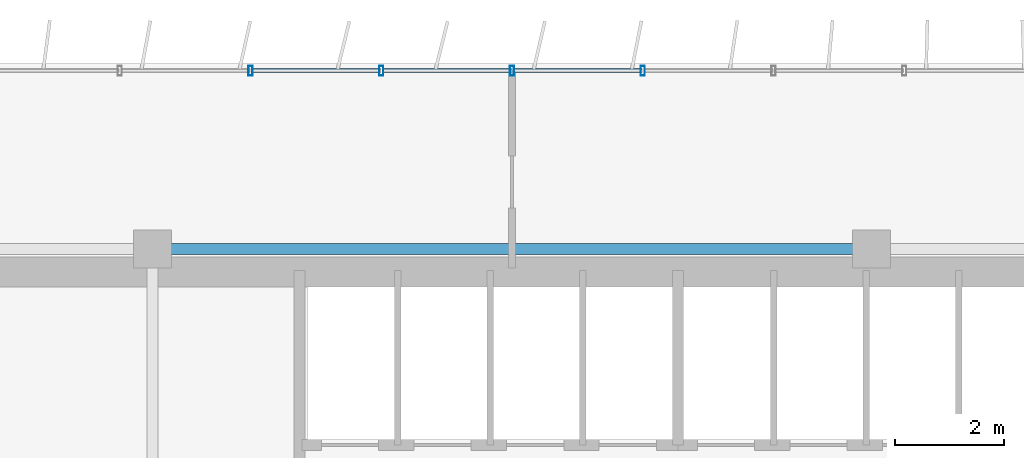
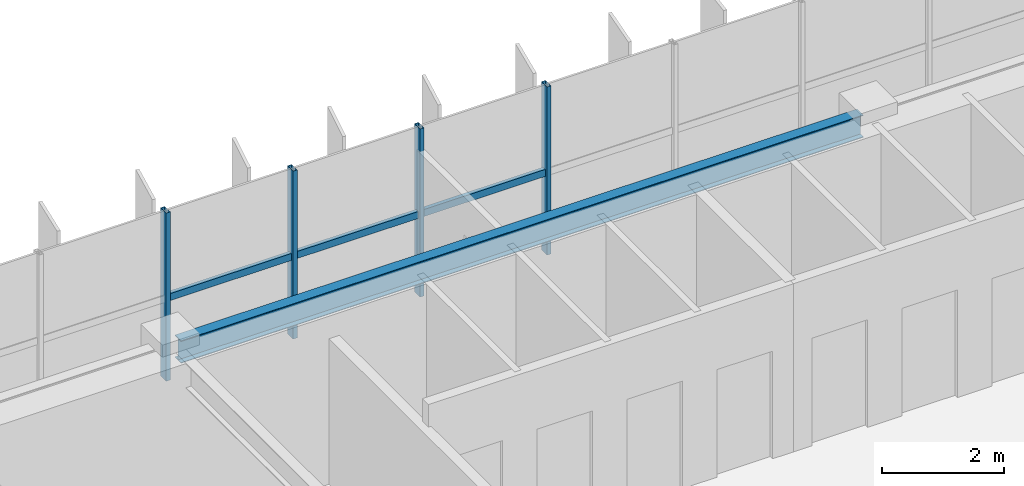
# One storey, part 8 of 19: 7 members, 1 beam, 1 element without a shape of its own.
"""IFC4 building model written with IfcOpenShell, lengths in metres."""

from ifc_helpers import new_model, si_unit, direction, frame, origin, origin_2d, place, context, subcontext, project, spatial, hollow_rectangle, i_section, extrude, source, transform, mapped, material, material_profile, profile_set, type_object, element, aggregate, save


model = new_model("IFC4")

# Units and contexts
model_context = context("Model", 3, precision=1e-05, world=origin(), true_north=direction((0.0, 1.0)))
body_context = subcontext(model_context, "Body", "Model", "MODEL_VIEW")
ifc_project = project(units=[si_unit("LENGTHUNIT", "METRE"), si_unit("AREAUNIT", "SQUARE_METRE"), si_unit("VOLUMEUNIT", "CUBIC_METRE"), si_unit("PLANEANGLEUNIT", "RADIAN"), si_unit("MASSUNIT", "GRAM", prefix="KILO")], contexts=[model_context])

# Site, building, storey
site_placement = place(None, origin())
site = spatial("IfcSite", under=ifc_project, at=site_placement, CompositionType="ELEMENT")
building_placement = place(site_placement, origin())
building = spatial("IfcBuilding", under=site, at=building_placement, Name="Trelvane Seafront Commons", CompositionType="ELEMENT")
storey_placement = place(building_placement, frame((0.0, 0.0, 215.699951171875)))
storey = spatial("IfcBuildingStorey", under=building, at=storey_placement, Name="L56", CompositionType="ELEMENT", Elevation=215.699951171875)

# Beam
ifc_material_1 = material(Name="Steel SM355 (S355)", Category="steel")
ifc_material_profile_1 = material_profile(ifc_material_1, i_section(OverallWidth=0.199951171875, OverallDepth=0.449951171875, WebThickness=0.009033203125, FlangeThickness=0.013916015625, at=origin_2d()), Name="H-450x200x9x14")
ifc_profile_set_1 = profile_set([ifc_material_profile_1], Name="Steel SM355 (S355)")
beam_type = type_object("IfcBeamType", Name="STR-SPD-H450", PredefinedType="SPANDREL", material=ifc_profile_set_1)
shared_shape_1 = source(origin(), body_context, "Body", "SweptSolid", [
    extrude(i_section(OverallWidth=0.199951171875, OverallDepth=0.449951171875, WebThickness=0.009033203125, FlangeThickness=0.013916015625, at=origin_2d()), origin(), (0.0, 0.0, 1.0), 12.89990234375),
])
beam_placement = place(storey_placement, frame((30.75, 45.10009765625, 3.135009765625), z_axis=(1.0, 0.0, 0.0), x_axis=(0.0, 1.0, 0.0)))
element("IfcBeam", 1, at=beam_placement, inside=storey, type_object=beam_type, Name="L56 Primary Girder G-25", PredefinedType="SPANDREL", context=body_context, shape_type="MappedRepresentation", body=[
    mapped(shared_shape_1, transform((0.0, 0.0, 0.0), x_axis=(1.0, 0.0, 0.0), y_axis=(0.0, 1.0, 0.0), z_axis=(0.0, 0.0, 1.0), scale=1.0)),
])

# Curtain wall, members
ifc_material_2 = material(Name="Anodised pale-silver aluminium", Category="aluminium")
curtain_wall_type = type_object("IfcCurtainWallType", Name="ARCH-CW4-SKYLOBBY", PredefinedType="NOTDEFINED", material=ifc_material_2)
curtain_wall_placement = place(storey_placement, origin())
curtain_wall = element("IfcCurtainWall", 2, at=curtain_wall_placement, inside=storey, type_object=curtain_wall_type, Name="CW-L56-0099", PredefinedType="NOTDEFINED")
ifc_material_profile_2 = material_profile(ifc_material_2, hollow_rectangle(XDim=0.074951171875, YDim=0.139892578125, WallThickness=0.00390625, at=origin_2d()), Name="TRAN-75x140x4")
ifc_profile_set_2 = profile_set([ifc_material_profile_2], Name="Anodised pale-silver aluminium")
member_type_1 = type_object("IfcMemberType", Name="ARCH-CW-TRAN-140", PredefinedType="USERDEFINED", material=ifc_profile_set_2)
shared_shape_2 = source(origin(), body_context, "Body", "SweptSolid", [
    extrude(hollow_rectangle(XDim=0.074951171875, YDim=0.139892578125, WallThickness=0.00390625, at=origin_2d()), origin(), (0.0, 0.0, 1.0), 2.3759765625),
])
member_1_placement = place(storey_placement, frame((32.412109375, 48.3701171875, 1.613037109375), z_axis=(1.0, 0.0, 0.0), x_axis=(0.0, 1.0, 0.0)))
member_1 = element("IfcMember", 3, at=member_1_placement, type_object=member_type_1, Name="CW-L56-0099-T07", ObjectType="TRANSOM", PredefinedType="USERDEFINED", context=body_context, shape_type="MappedRepresentation", body=[
    mapped(shared_shape_2, transform((0.0, 0.0, 0.0), x_axis=(1.0, 0.0, 0.0), y_axis=(0.0, 1.0, 0.0), z_axis=(0.0, 0.0, 1.0), scale=1.0)),
])
member_2_placement = place(storey_placement, frame((34.81201171875, 48.3701171875, 1.613037109375), z_axis=(1.0, 0.0, 0.0), x_axis=(0.0, 1.0, 0.0)))
member_2 = element("IfcMember", 4, at=member_2_placement, type_object=member_type_1, Name="CW-L56-0099-T08", ObjectType="TRANSOM", PredefinedType="USERDEFINED", context=body_context, shape_type="MappedRepresentation", body=[
    mapped(shared_shape_2, transform((0.0, 0.0, 0.0), x_axis=(1.0, 0.0, 0.0), y_axis=(0.0, 1.0, 0.0), z_axis=(0.0, 0.0, 1.0), scale=1.0)),
])
member_3_placement = place(storey_placement, frame((37.2119140625, 48.3701171875, 1.613037109375), z_axis=(1.0, 0.0, 0.0), x_axis=(0.0, 1.0, 0.0)))
member_3 = element("IfcMember", 5, at=member_3_placement, type_object=member_type_1, Name="CW-L56-0099-T09", ObjectType="TRANSOM", PredefinedType="USERDEFINED", context=body_context, shape_type="MappedRepresentation", body=[
    mapped(shared_shape_2, transform((0.0, 0.0, 0.0), x_axis=(1.0, 0.0, 0.0), y_axis=(0.0, 1.0, 0.0), z_axis=(0.0, 0.0, 1.0), scale=1.0)),
])
ifc_material_profile_3 = material_profile(ifc_material_2, hollow_rectangle(XDim=0.080078125, YDim=0.179931640625, WallThickness=0.00439453125, at=origin_2d()), Name="MULL-80x180x4.5")
ifc_profile_set_3 = profile_set([ifc_material_profile_3], Name="Anodised pale-silver aluminium")
member_type_2 = type_object("IfcMemberType", Name="ARCH-CW-MULL-180", PredefinedType="MULLION", material=ifc_profile_set_3)
shared_shape_3 = source(origin(), body_context, "Body", "SweptSolid", [
    extrude(hollow_rectangle(XDim=0.080078125, YDim=0.179931640625, WallThickness=0.00439453125, at=origin_2d()), origin(), (0.0, 0.0, 1.0), 3.360107421875),
])
member_4_placement = place(storey_placement, frame((32.39990234375, 48.3701171875, 0.0), z_axis=(0.0, 0.0, 1.0), x_axis=(1.0, 0.0, 0.0)))
member_4 = element("IfcMember", 6, at=member_4_placement, type_object=member_type_2, Name="CW-L56-0099-M07", PredefinedType="MULLION", context=body_context, shape_type="MappedRepresentation", body=[
    mapped(shared_shape_3, transform((0.0, 0.0, 0.0), x_axis=(1.0, 0.0, 0.0), y_axis=(0.0, 1.0, 0.0), z_axis=(0.0, 0.0, 1.0), scale=1.0)),
])
member_5_placement = place(storey_placement, frame((34.800048828125, 48.3701171875, 0.0), z_axis=(0.0, 0.0, 1.0), x_axis=(1.0, 0.0, 0.0)))
member_5 = element("IfcMember", 7, at=member_5_placement, type_object=member_type_2, Name="CW-L56-0099-M08", PredefinedType="MULLION", context=body_context, shape_type="MappedRepresentation", body=[
    mapped(shared_shape_3, transform((0.0, 0.0, 0.0), x_axis=(1.0, 0.0, 0.0), y_axis=(0.0, 1.0, 0.0), z_axis=(0.0, 0.0, 1.0), scale=1.0)),
])
member_6_placement = place(storey_placement, frame((37.199951171875, 48.3701171875, 0.0), z_axis=(0.0, 0.0, 1.0), x_axis=(1.0, 0.0, 0.0)))
member_6 = element("IfcMember", 8, at=member_6_placement, type_object=member_type_2, Name="CW-L56-0099-M09", PredefinedType="MULLION", context=body_context, shape_type="MappedRepresentation", body=[
    mapped(shared_shape_3, transform((0.0, 0.0, 0.0), x_axis=(1.0, 0.0, 0.0), y_axis=(0.0, 1.0, 0.0), z_axis=(0.0, 0.0, 1.0), scale=1.0)),
])
member_7_placement = place(storey_placement, frame((39.60009765625, 48.3701171875, 0.0), z_axis=(0.0, 0.0, 1.0), x_axis=(1.0, 0.0, 0.0)))
member_7 = element("IfcMember", 9, at=member_7_placement, type_object=member_type_2, Name="CW-L56-0099-M10", PredefinedType="MULLION", context=body_context, shape_type="MappedRepresentation", body=[
    mapped(shared_shape_3, transform((0.0, 0.0, 0.0), x_axis=(1.0, 0.0, 0.0), y_axis=(0.0, 1.0, 0.0), z_axis=(0.0, 0.0, 1.0), scale=1.0)),
])
aggregate(curtain_wall, [member_4, member_5, member_6, member_7, member_1, member_2, member_3])

save(model, "model.ifc")
